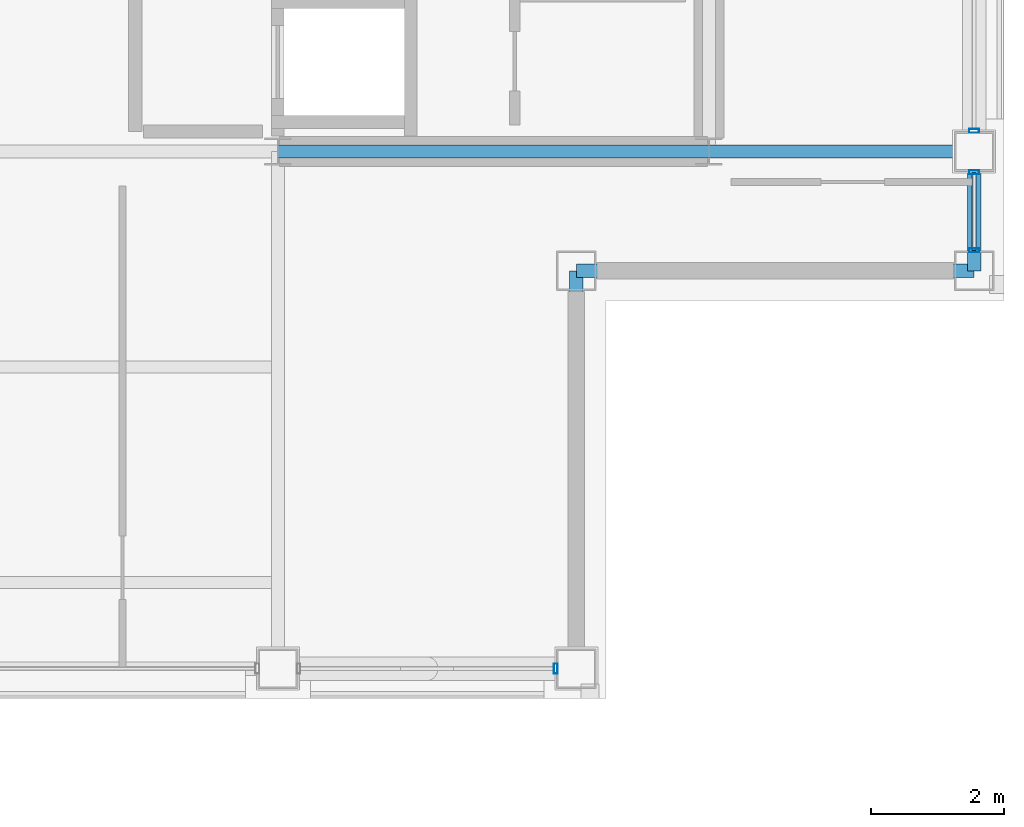
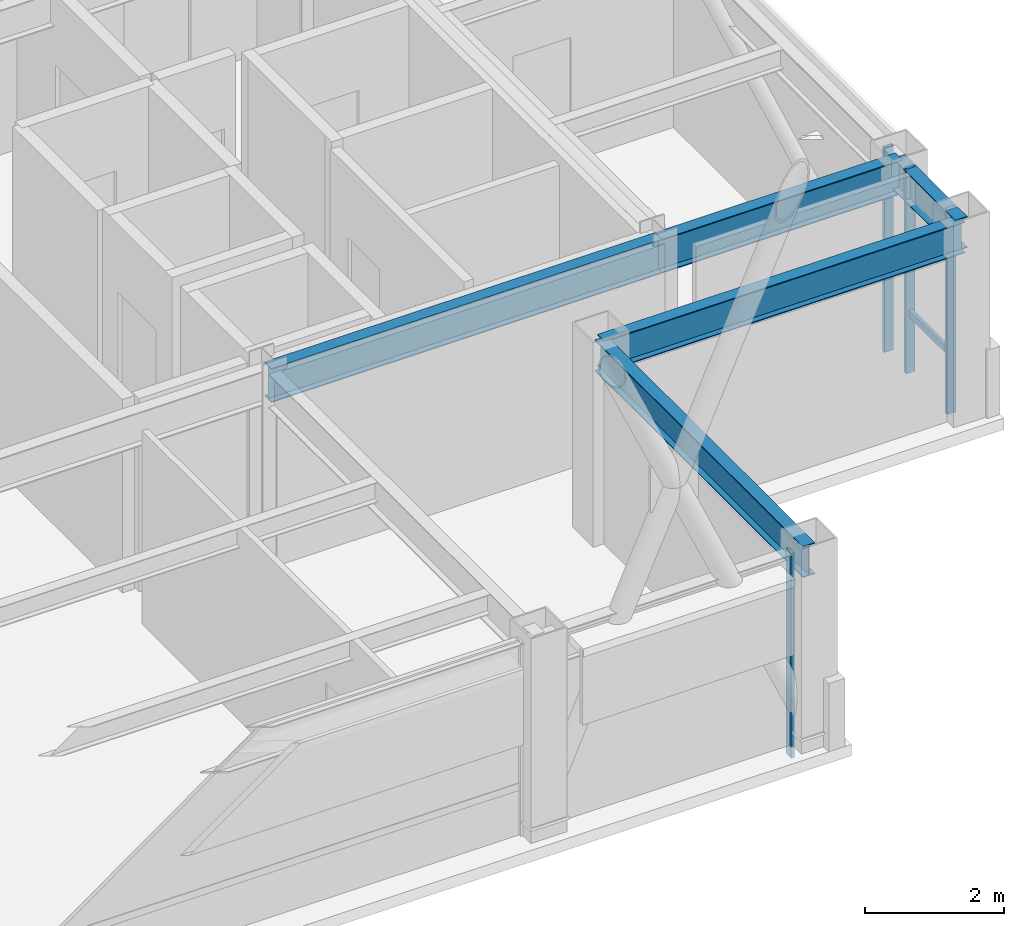
# One storey, part 13 of 27: 5 beams, 5 members, 3 elements without a shape of their own.
"""IFC4 building model written with IfcOpenShell, lengths in metres."""

from ifc_helpers import new_model, si_unit, direction, frame, origin, origin_2d, place, context, subcontext, project, spatial, hollow_rectangle, i_section, extrude, material, layer, layer_set, material_profile, profile_set, type_object, element, aggregate, save


model = new_model("IFC4")

# Units and contexts
model_context = context("Model", 3, precision=1e-05, world=origin(), true_north=direction((0.0, 1.0)))
body_context = subcontext(model_context, "Body", "Model", "MODEL_VIEW")
ifc_project = project(units=[si_unit("LENGTHUNIT", "METRE"), si_unit("AREAUNIT", "SQUARE_METRE"), si_unit("VOLUMEUNIT", "CUBIC_METRE"), si_unit("PLANEANGLEUNIT", "RADIAN"), si_unit("MASSUNIT", "GRAM", prefix="KILO")], contexts=[model_context])

# Site, building, storey
site_placement = place(None, origin())
site = spatial("IfcSite", under=ifc_project, at=site_placement, CompositionType="ELEMENT")
building_placement = place(site_placement, origin())
building = spatial("IfcBuilding", under=site, at=building_placement, Name="Brelmoor Portico Tower", CompositionType="ELEMENT")
storey_placement = place(building_placement, frame((0.0, 0.0, 258.0)))
storey = spatial("IfcBuildingStorey", under=building, at=storey_placement, Name="L68", CompositionType="ELEMENT", Elevation=258.0)

# Beams
ifc_material_1 = material(Name="Steel Q355B", Category="steel")
ifc_material_profile_1 = material_profile(ifc_material_1, i_section(OverallWidth=0.199951171875, OverallDepth=0.60009765625, WebThickness=0.010986328125, FlangeThickness=0.01708984375, at=origin_2d()), Name="HN 600x200x11x17")
ifc_profile_set_1 = profile_set([ifc_material_profile_1], Name="Steel Q355B")
beam_type_1 = type_object("IfcBeamType", Name="BM-PG-600", PredefinedType="BEAM", material=ifc_profile_set_1)
beam_1_placement = place(storey_placement, frame((8.050048828125, -9.75, 3.10009765625), z_axis=(1.0, 0.0, 0.0), x_axis=(0.0, 1.0, 0.0)))
element("IfcBeam", 1, at=beam_1_placement, inside=storey, type_object=beam_type_1, Name="L68 Primary Floor Girder PG-14", PredefinedType="BEAM", context=body_context, shape_type="SweptSolid", body=[
    extrude(i_section(OverallWidth=0.199951171875, OverallDepth=0.60009765625, WebThickness=0.010986328125, FlangeThickness=0.01708984375, at=origin_2d()), origin(), (0.0, 0.0, 1.0), 6.5),
])
beam_2_placement = place(storey_placement, frame((14.550048828125, -9.75, 3.10009765625), z_axis=(1.0, 0.0, 0.0), x_axis=(0.0, 1.0, 0.0)))
element("IfcBeam", 2, at=beam_2_placement, inside=storey, type_object=beam_type_1, Name="L68 Primary Floor Girder PG-15", PredefinedType="BEAM", context=body_context, shape_type="SweptSolid", body=[
    extrude(i_section(OverallWidth=0.199951171875, OverallDepth=0.60009765625, WebThickness=0.010986328125, FlangeThickness=0.01708984375, at=origin_2d()), origin(), (0.0, 0.0, 1.0), 4.0),
])
ifc_material_profile_2 = material_profile(ifc_material_1, i_section(OverallWidth=0.199951171875, OverallDepth=0.550048828125, WebThickness=0.010009765625, FlangeThickness=0.01611328125, at=origin_2d()), Name="HN 550x200x10x16")
ifc_profile_set_2 = profile_set([ifc_material_profile_2], Name="Steel Q355B")
beam_type_2 = type_object("IfcBeamType", Name="BM-SP-550", PredefinedType="SPANDREL", material=ifc_profile_set_2)
for number, where, z_axis, x_axis, name in (
    (3, (12.550048828125, -11.550048828125, 3.125), (1.0, 0.0, 0.0), (0.0, 1.0, 0.0), "L68 Perimeter Spandrel Beam SP-05"),
    (4, (12.550048828125, -17.550048828125, 3.125), (0.0, 1.0, 0.0), (-1.0, 0.0, 0.0), "L68 Perimeter Spandrel Beam SP-16"),
):
    element("IfcBeam", number, at=place(storey_placement, frame(where, z_axis=z_axis, x_axis=x_axis)), inside=storey, type_object=beam_type_2, Name=name, PredefinedType="SPANDREL", context=body_context, shape_type="SweptSolid", body=[
        extrude(i_section(OverallWidth=0.199951171875, OverallDepth=0.550048828125, WebThickness=0.010009765625, FlangeThickness=0.01611328125, at=origin_2d()), origin(), (0.0, 0.0, 1.0), 6.0),
    ])
beam_3_placement = place(storey_placement, frame((18.550048828125, -11.550048828125, 3.125), z_axis=(0.0, 1.0, 0.0), x_axis=(-1.0, 0.0, 0.0)))
element("IfcBeam", 5, at=beam_3_placement, inside=storey, type_object=beam_type_2, Name="L68 Perimeter Spandrel Beam SP-18", PredefinedType="SPANDREL", context=body_context, shape_type="SweptSolid", body=[
    extrude(i_section(OverallWidth=0.199951171875, OverallDepth=0.550048828125, WebThickness=0.010009765625, FlangeThickness=0.01611328125, at=origin_2d()), origin(), (0.0, 0.0, 1.0), 1.800048828125),
])

# Curtain wall, member
ifc_material_2 = material(Name="Anodised Aluminium Alloy 6063-T6", Category="aluminium")
ifc_layer_1 = layer(ifc_material_2, 0.179931640625)
ifc_layer_set_1 = layer_set([ifc_layer_1], Name="Anodised Aluminium Alloy 6063-T6")
curtain_wall_type_1 = type_object("IfcCurtainWallType", Name="CW-TOWER-Z4-XB", PredefinedType="NOTDEFINED", material=ifc_layer_set_1)
curtain_wall_1_placement = place(storey_placement, origin())
curtain_wall_1 = element("IfcCurtainWall", 6, at=curtain_wall_1_placement, inside=storey, type_object=curtain_wall_type_1, Name="L68 Curtain Wall CW-L68-1R-2", PredefinedType="NOTDEFINED")
ifc_material_profile_3 = material_profile(ifc_material_2, hollow_rectangle(XDim=0.06005859375, YDim=0.14990234375, WallThickness=0.00390625, at=origin_2d()), Name="ALU MULLION 60x150")
ifc_profile_set_3 = profile_set([ifc_material_profile_3], Name="Anodised Aluminium Alloy 6063-T6")
member_type_1 = type_object("IfcMemberType", Name="MB-CW-MULL-150", PredefinedType="MULLION", material=ifc_profile_set_3)
member_1_placement = place(storey_placement, frame((12.239990234375, -17.550048828125, -0.199951171875), z_axis=(0.0, 0.0, 1.0), x_axis=(1.0, 0.0, 0.0)))
member_1 = element("IfcMember", 7, at=member_1_placement, type_object=member_type_1, Name="CW-L68-1R-2 Mullion 01", PredefinedType="MULLION", context=body_context, shape_type="SweptSolid", body=[
    extrude(hollow_rectangle(XDim=0.06005859375, YDim=0.14990234375, WallThickness=0.00390625, at=origin_2d()), origin(), (0.0, 0.0, 1.0), 3.599853515625),
])
aggregate(curtain_wall_1, [member_1])

# Curtain wall, members
ifc_layer_2 = layer(ifc_material_2, 0.179931640625)
ifc_layer_set_2 = layer_set([ifc_layer_2], Name="Anodised Aluminium Alloy 6063-T6")
curtain_wall_type_2 = type_object("IfcCurtainWallType", Name="CW-TOWER-Z4", PredefinedType="NOTDEFINED", material=ifc_layer_set_2)
curtain_wall_2_placement = place(storey_placement, origin())
curtain_wall_2 = element("IfcCurtainWall", 8, at=curtain_wall_2_placement, inside=storey, type_object=curtain_wall_type_2, Name="L68 Curtain Wall CW-L68-04-1", PredefinedType="NOTDEFINED")
member_2_placement = place(storey_placement, frame((18.550048828125, -11.239990234375, -0.199951171875), z_axis=(0.0, 0.0, 1.0), x_axis=(0.0, 1.0, 0.0)))
member_2 = element("IfcMember", 9, at=member_2_placement, type_object=member_type_1, Name="CW-L68-04-1 Mullion 00", PredefinedType="MULLION", context=body_context, shape_type="SweptSolid", body=[
    extrude(hollow_rectangle(XDim=0.06005859375, YDim=0.14990234375, WallThickness=0.00390625, at=origin_2d()), origin(), (0.0, 0.0, 1.0), 3.599853515625),
])
member_3_placement = place(storey_placement, frame((18.550048828125, -10.06005859375, -0.199951171875), z_axis=(0.0, 0.0, 1.0), x_axis=(0.0, 1.0, 0.0)))
member_3 = element("IfcMember", 10, at=member_3_placement, type_object=member_type_1, Name="CW-L68-04-1 Mullion 01", PredefinedType="MULLION", context=body_context, shape_type="SweptSolid", body=[
    extrude(hollow_rectangle(XDim=0.06005859375, YDim=0.14990234375, WallThickness=0.00390625, at=origin_2d()), origin(), (0.0, 0.0, 1.0), 3.599853515625),
])

# Curtain wall, member
curtain_wall_3_placement = place(storey_placement, origin())
curtain_wall_3 = element("IfcCurtainWall", 11, at=curtain_wall_3_placement, inside=storey, type_object=curtain_wall_type_1, Name="L68 Curtain Wall CW-L68-04-2", PredefinedType="NOTDEFINED")
member_4_placement = place(storey_placement, frame((18.550048828125, -9.43994140625, -0.199951171875), z_axis=(0.0, 0.0, 1.0), x_axis=(0.0, 1.0, 0.0)))
member_4 = element("IfcMember", 12, at=member_4_placement, type_object=member_type_1, Name="CW-L68-04-2 Mullion 00", PredefinedType="MULLION", context=body_context, shape_type="SweptSolid", body=[
    extrude(hollow_rectangle(XDim=0.06005859375, YDim=0.14990234375, WallThickness=0.00390625, at=origin_2d()), origin(), (0.0, 0.0, 1.0), 3.599853515625),
])
aggregate(curtain_wall_3, [member_4])

# Member
ifc_material_profile_4 = material_profile(ifc_material_2, hollow_rectangle(XDim=0.06005859375, YDim=0.125, WallThickness=0.00341796875, at=origin_2d()), Name="ALU TRANSOM 60x125")
ifc_profile_set_4 = profile_set([ifc_material_profile_4], Name="Anodised Aluminium Alloy 6063-T6")
member_type_2 = type_object("IfcMemberType", Name="MB-CW-TRAN-125", PredefinedType="USERDEFINED", material=ifc_profile_set_4)
member_5_placement = place(storey_placement, frame((18.550048828125, -11.239990234375, 0.85009765625), z_axis=(0.0, 1.0, 0.0), x_axis=(-1.0, 0.0, 0.0)))
member_5 = element("IfcMember", 13, at=member_5_placement, type_object=member_type_2, Name="CW-L68-04-1 Transom 1-00", ObjectType="TRANSOM", PredefinedType="USERDEFINED", context=body_context, shape_type="SweptSolid", body=[
    extrude(hollow_rectangle(XDim=0.06005859375, YDim=0.125, WallThickness=0.00341796875, at=origin_2d()), origin(), (0.0, 0.0, 1.0), 1.179931640625),
])

aggregate(curtain_wall_2, [member_2, member_3, member_5])

save(model, "model.ifc")
